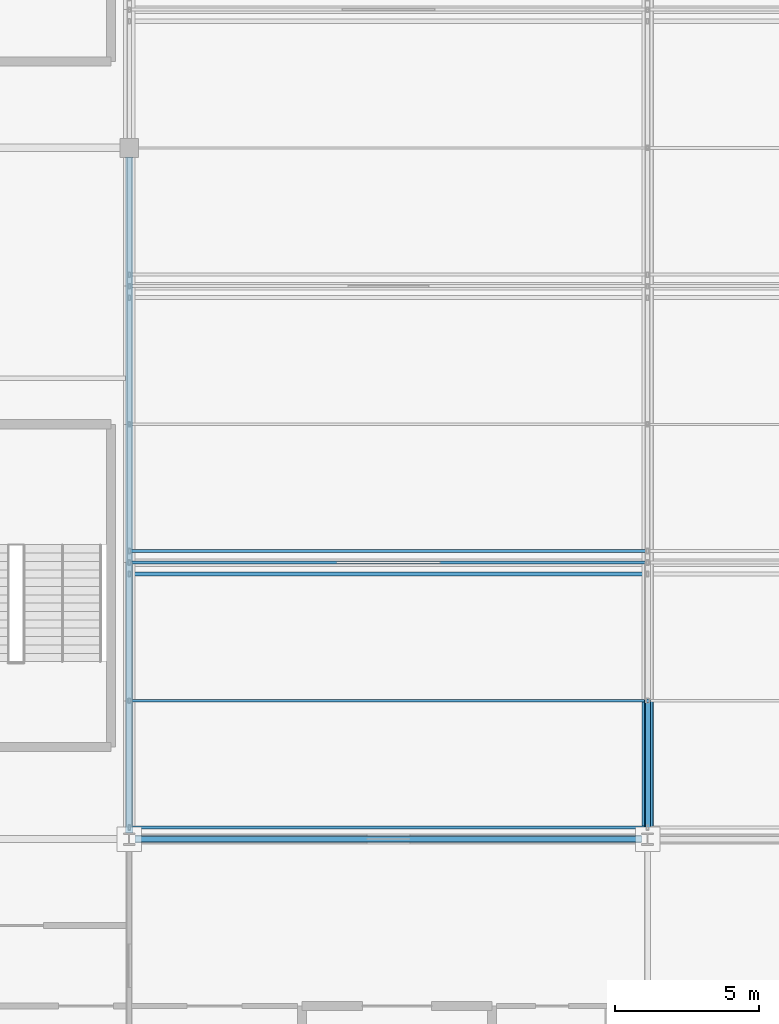
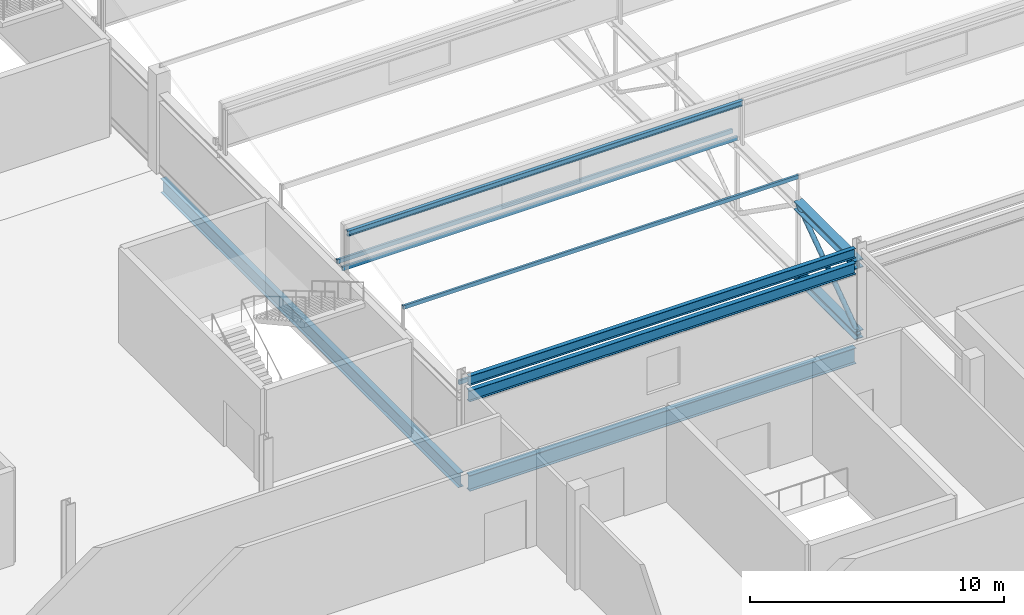
# One storey, part 14 of 136: 6 beams, 6 members.
"""IFC4 building model written with IfcOpenShell, lengths in metres."""

from ifc_helpers import new_model, si_unit, direction, frame, origin, origin_2d, place, context, subcontext, project, spatial, hollow_rectangle, hollow_circle, i_section, extrude, material, material_profile, profile_set, type_object, element, save


model = new_model("IFC4")

# Units and contexts
model_context = context("Model", 3, precision=1e-05, world=origin(), true_north=direction((0.0, 1.0)))
body_context = subcontext(model_context, "Body", "Model", "MODEL_VIEW")
ifc_project = project(units=[si_unit("LENGTHUNIT", "METRE"), si_unit("AREAUNIT", "SQUARE_METRE"), si_unit("VOLUMEUNIT", "CUBIC_METRE"), si_unit("PLANEANGLEUNIT", "RADIAN"), si_unit("MASSUNIT", "GRAM", prefix="KILO")], contexts=[model_context])

# Site, building, storey
site_placement = place(None, origin())
site = spatial("IfcSite", under=ifc_project, at=site_placement, CompositionType="ELEMENT")
building_placement = place(site_placement, origin())
building = spatial("IfcBuilding", under=site, at=building_placement, Name="Kisiwana Market Hall", CompositionType="ELEMENT")
storey_placement = place(building_placement, frame((0.0, 0.0, 16.800048828125)))
storey = spatial("IfcBuildingStorey", under=building, at=storey_placement, Name="L03", CompositionType="ELEMENT", Elevation=16.800048828125)

# Beams
ifc_material_1 = material(Name="Steel S355", Category="steel")
ifc_material_profile_1 = material_profile(ifc_material_1, i_section(OverallWidth=0.19140625, OverallDepth=0.4599609375, WebThickness=0.010009765625, FlangeThickness=0.01611328125, at=origin_2d()), Name="UB 457x191x82")
ifc_profile_set_1 = profile_set([ifc_material_profile_1], Name="Steel S355")
beam_type_1 = type_object("IfcBeamType", Name="BM-GIRD-UB457H", PredefinedType="BEAM", material=ifc_profile_set_1)
beam_1_placement = place(storey_placement, frame((45.201904296875, 36.0, 4.27783203125), z_axis=(1.0, 0.0, 0.0), x_axis=(0.0, 1.0, 0.0)))
element("IfcBeam", 1, at=beam_1_placement, inside=storey, type_object=beam_type_1, Name="Roof girder B-1137", PredefinedType="BEAM", context=body_context, shape_type="SweptSolid", body=[
    extrude(i_section(OverallWidth=0.19140625, OverallDepth=0.4599609375, WebThickness=0.010009765625, FlangeThickness=0.01611328125, at=origin_2d()), origin(), (0.0, 0.0, 1.0), 17.59619140625),
])
ifc_material_2 = material(Name="Steel S355", Category="steel")
ifc_material_profile_2 = material_profile(ifc_material_2, i_section(OverallWidth=0.209228515625, OverallDepth=0.533203125, WebThickness=0.010009765625, FlangeThickness=0.015625, at=origin_2d()), Name="UB 533x210x92")
ifc_profile_set_2 = profile_set([ifc_material_profile_2], Name="Steel S355")
beam_type_2 = type_object("IfcBeamType", Name="BM-GIRD-UB533", PredefinedType="BEAM", material=ifc_profile_set_2)
beam_2_placement = place(storey_placement, frame((45.199951171875, 36.0, 3.54345703125), z_axis=(1.0, 0.0, 0.0), x_axis=(0.0, 1.0, 0.0)))
element("IfcBeam", 2, at=beam_2_placement, inside=storey, type_object=beam_type_2, Name="Truss eaves tie B-1163", PredefinedType="BEAM", context=body_context, shape_type="SweptSolid", body=[
    extrude(i_section(OverallWidth=0.209228515625, OverallDepth=0.533203125, WebThickness=0.010009765625, FlangeThickness=0.015625, at=origin_2d()), origin(), (0.0, 0.0, 1.0), 17.60009765625),
])
ifc_material_3 = material(Name="Steel S355", Category="steel")
ifc_material_profile_3 = material_profile(ifc_material_3, i_section(OverallWidth=0.253662109375, OverallDepth=0.68359375, WebThickness=0.012451171875, FlangeThickness=0.01904296875, at=origin_2d()), Name="UB 686x254x140")
ifc_profile_set_3 = profile_set([ifc_material_profile_3], Name="Steel S355")
beam_type_3 = type_object("IfcBeamType", Name="BM-GIRD-UB686", PredefinedType="BEAM", material=ifc_profile_set_3)
beam_3_placement = place(storey_placement, frame((45.0, 36.21337890625, -0.591796875), z_axis=(0.0, 1.0, 0.0), x_axis=(-1.0, 0.0, 0.0)))
element("IfcBeam", 3, at=beam_3_placement, inside=storey, type_object=beam_type_3, Name="Floor beam B-1087", PredefinedType="BEAM", context=body_context, shape_type="SweptSolid", body=[
    extrude(i_section(OverallWidth=0.253662109375, OverallDepth=0.68359375, WebThickness=0.012451171875, FlangeThickness=0.01904296875, at=origin_2d()), origin(), (0.0, 0.0, 1.0), 23.465576171875),
])
ifc_material_4 = material(Name="Steel S355", Category="steel")
ifc_material_profile_4 = material_profile(ifc_material_4, i_section(OverallWidth=0.2666015625, OverallDepth=0.76220703125, WebThickness=0.014404296875, FlangeThickness=0.021484375, at=origin_2d()), Name="UB 762x267x173")
ifc_profile_set_4 = profile_set([ifc_material_profile_4], Name="Steel S355")
beam_type_4 = type_object("IfcBeamType", Name="BM-GIRD-UB762", PredefinedType="BEAM", material=ifc_profile_set_4)
beam_4_placement = place(storey_placement, frame((45.201904296875, 36.0, -0.631103515625), z_axis=(1.0, 0.0, 0.0), x_axis=(0.0, 1.0, 0.0)))
element("IfcBeam", 4, at=beam_4_placement, inside=storey, type_object=beam_type_4, Name="Floor beam B-1011", PredefinedType="BEAM", context=body_context, shape_type="SweptSolid", body=[
    extrude(i_section(OverallWidth=0.2666015625, OverallDepth=0.76220703125, WebThickness=0.014404296875, FlangeThickness=0.021484375, at=origin_2d()), origin(), (0.0, 0.0, 1.0), 17.59619140625),
])
ifc_material_5 = material(Name="Steel S355", Category="steel")
ifc_material_profile_5 = material_profile(ifc_material_5, i_section(OverallWidth=0.394775390625, OverallDepth=0.381103515625, WebThickness=0.018310546875, FlangeThickness=0.0302734375, at=origin_2d()), Name="UC 356x406x235")
ifc_profile_set_5 = profile_set([ifc_material_profile_5], Name="Steel S355")
beam_type_5 = type_object("IfcBeamType", Name="BM-TRUSS-BOT", PredefinedType="USERDEFINED", material=ifc_profile_set_5)
beam_5_placement = place(storey_placement, frame((63.0, 36.0, 0.22998046875), z_axis=(0.0, 1.0, 0.0), x_axis=(-1.0, 0.0, 0.0)))
element("IfcBeam", 5, at=beam_5_placement, inside=storey, type_object=beam_type_5, Name="TR-02 BC panel 1 B-1197", ObjectType="ROOF TRUSS", PredefinedType="USERDEFINED", context=body_context, shape_type="SweptSolid", body=[
    extrude(i_section(OverallWidth=0.394775390625, OverallDepth=0.381103515625, WebThickness=0.018310546875, FlangeThickness=0.0302734375, at=origin_2d()), origin(), (0.0, 0.0, 1.0), 4.800048828125),
])
ifc_material_6 = material(Name="Steel S355", Category="steel")
ifc_material_profile_6 = material_profile(ifc_material_6, i_section(OverallWidth=0.39892578125, OverallDepth=0.3935546875, WebThickness=0.022705078125, FlangeThickness=0.03662109375, at=origin_2d()), Name="UC 356x406x287")
ifc_profile_set_6 = profile_set([ifc_material_profile_6], Name="Steel S355")
beam_type_6 = type_object("IfcBeamType", Name="BM-TRUSS-TOP", PredefinedType="USERDEFINED", material=ifc_profile_set_6)
beam_6_placement = place(storey_placement, frame((63.0, 36.0, 3.619873046875), z_axis=(0.0, 1.0, 0.0), x_axis=(-1.0, 0.0, 0.0)))
element("IfcBeam", 6, at=beam_6_placement, inside=storey, type_object=beam_type_6, Name="TR-02 TC panel 1 B-1207", ObjectType="ROOF TRUSS", PredefinedType="USERDEFINED", context=body_context, shape_type="SweptSolid", body=[
    extrude(i_section(OverallWidth=0.39892578125, OverallDepth=0.3935546875, WebThickness=0.022705078125, FlangeThickness=0.03662109375, at=origin_2d()), origin(), (0.0, 0.0, 1.0), 4.800048828125),
])

# Members
ifc_material_7 = material(Name="Steel S355", Category="steel")
ifc_material_profile_7 = material_profile(ifc_material_7, hollow_rectangle(XDim=0.10009765625, YDim=0.179931640625, WallThickness=0.008056640625, at=origin_2d()), Name="RHS 180x100x8")
ifc_profile_set_7 = profile_set([ifc_material_profile_7], Name="Steel S355")
member_type_1 = type_object("IfcMemberType", Name="MB-PURL-RHS180", PredefinedType="PURLIN", material=ifc_profile_set_7)
member_1_placement = place(storey_placement, frame((45.0, 40.800048828125, 4.9462890625), z_axis=(1.0, 0.0, 0.0), x_axis=(0.0, 1.0, 0.0)))
element("IfcMember", 7, at=member_1_placement, inside=storey, type_object=member_type_1, Name="Sawtooth mid-slope roof purlin 9 M-0091", PredefinedType="PURLIN", context=body_context, shape_type="SweptSolid", body=[
    extrude(hollow_rectangle(XDim=0.10009765625, YDim=0.179931640625, WallThickness=0.008056640625, at=origin_2d()), origin(), (0.0, 0.0, 1.0), 18.0),
])
ifc_material_8 = material(Name="Steel S355", Category="steel")
ifc_material_profile_8 = material_profile(ifc_material_8, hollow_rectangle(XDim=0.10009765625, YDim=0.199951171875, WallThickness=0.008056640625, at=origin_2d()), Name="RHS 200x100x8.0")
ifc_profile_set_8 = profile_set([ifc_material_profile_8], Name="Steel S355")
member_type_2 = type_object("IfcMemberType", Name="MB-ROOF-PURLIN1", PredefinedType="PURLIN", material=ifc_profile_set_8)
for number, where, z_axis, x_axis, name in (
    (8, (45.0, 36.39990234375, 4.0009765625), (1.0, 0.0, 0.0), (0.0, 1.0, 0.0), "Sawtooth roof purlin 177 M-0126"),
    (9, (45.0, 45.60009765625, 3.90087890625), (1.0, 0.0, 0.0), (0.0, 1.0, 0.0), "Sawtooth roof purlin 179 M-0128"),
    (10, (45.0, 46.0, 4.0009765625), (1.0, 0.0, 0.0), (0.0, 1.0, 0.0), "Sawtooth roof purlin 222 M-0147"),
):
    element("IfcMember", number, at=place(storey_placement, frame(where, z_axis=z_axis, x_axis=x_axis)), inside=storey, type_object=member_type_2, Name=name, PredefinedType="PURLIN", context=body_context, shape_type="SweptSolid", body=[
        extrude(hollow_rectangle(XDim=0.10009765625, YDim=0.199951171875, WallThickness=0.008056640625, at=origin_2d()), origin(), (0.0, 0.0, 1.0), 18.0),
    ])
ifc_material_9 = material(Name="Steel S355", Category="steel")
ifc_material_profile_9 = material_profile(ifc_material_9, i_section(OverallWidth=0.146484375, OverallDepth=0.256103515625, WebThickness=0.00634765625, FlangeThickness=0.010986328125, at=origin_2d()), Name="UB 254x146x37")
ifc_profile_set_9 = profile_set([ifc_material_profile_9], Name="Steel S355")
member_type_3 = type_object("IfcMemberType", Name="MB-ROOF-PURLIN2", PredefinedType="PURLIN", material=ifc_profile_set_9)
member_2_placement = place(storey_placement, frame((45.0, 45.199951171875, 5.843505859375), z_axis=(1.0, 0.0, 0.0), x_axis=(0.0, 1.0, 0.0)))
element("IfcMember", 11, at=member_2_placement, inside=storey, type_object=member_type_3, Name="Sawtooth roof purlin 178 M-0127", PredefinedType="PURLIN", context=body_context, shape_type="SweptSolid", body=[
    extrude(i_section(OverallWidth=0.146484375, OverallDepth=0.256103515625, WebThickness=0.00634765625, FlangeThickness=0.010986328125, at=origin_2d()), origin(), (0.0, 0.0, 1.0), 18.0),
])
ifc_material_10 = material(Name="Steel S355", Category="steel")
ifc_material_profile_10 = material_profile(ifc_material_10, hollow_circle(Radius=0.109619140625, WallThickness=0.012451171875, at=origin_2d()), Name="CHS 219.1x12.5")
ifc_profile_set_10 = profile_set([ifc_material_profile_10], Name="Steel S355")
member_type_4 = type_object("IfcMemberType", Name="MB-TR-DIAG219", PredefinedType="BRACE", material=ifc_profile_set_10)
member_3_placement = place(storey_placement, frame((63.0, 36.0, 0.22998046875), z_axis=(0.0, 0.816837735077, 0.576867501732), x_axis=(-1.0, 0.0, 0.0)))
element("IfcMember", 12, at=member_3_placement, inside=storey, type_object=member_type_4, Name="TR-02 diagonal 1 M-0354", PredefinedType="BRACE", context=body_context, shape_type="SweptSolid", body=[
    extrude(hollow_circle(Radius=0.109619140625, WallThickness=0.012451171875, at=origin_2d()), origin(), (0.0, 0.0, 1.0), 5.87646484375),
])

save(model, "model.ifc")
